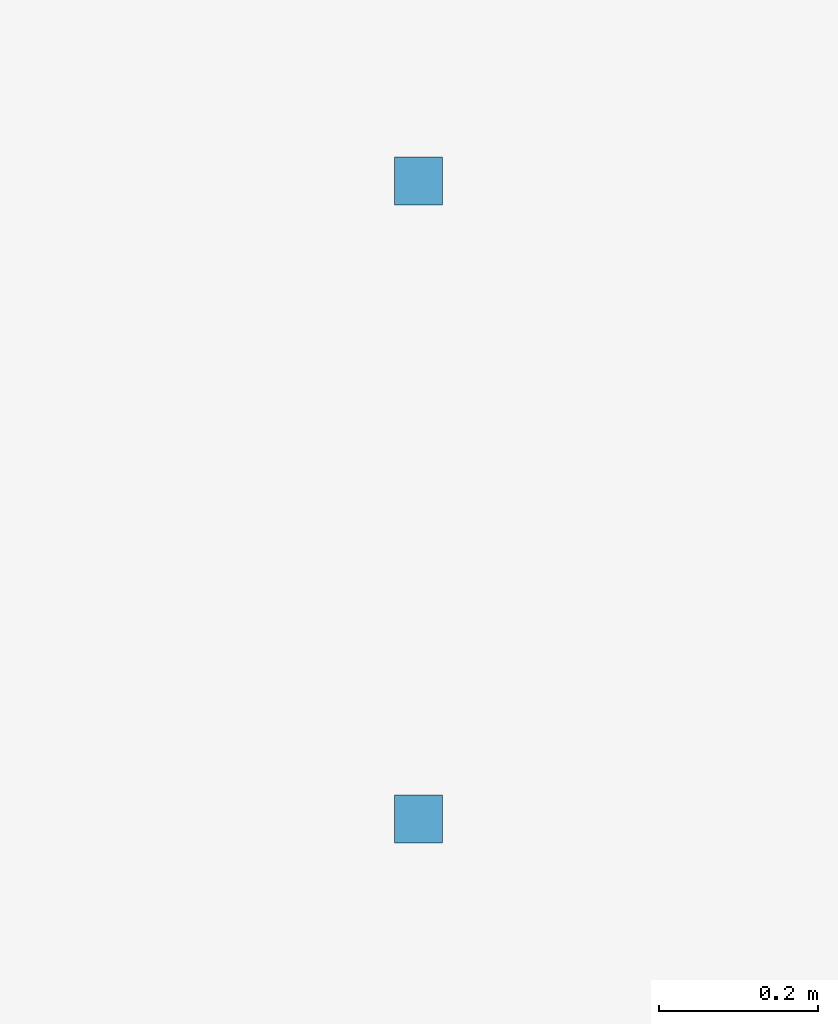
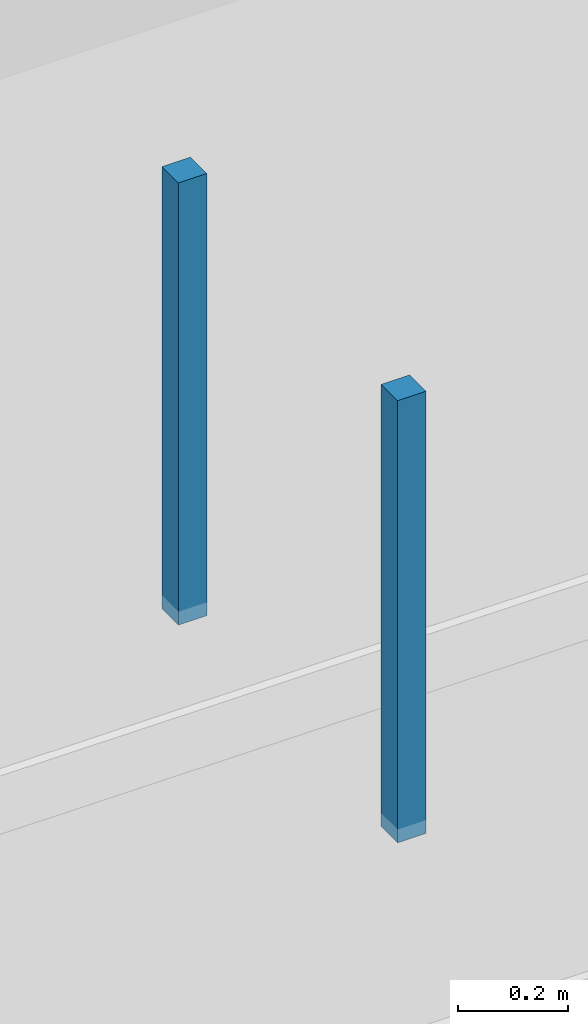
# One storey, part 12 of 25: 2 discrete accessories.
"""IFC4 building model written with IfcOpenShell, lengths in metres."""

from ifc_helpers import new_model, si_unit, direction, frame, origin, origin_2d, place, context, subcontext, project, spatial, rectangle, extrude, material, type_object, element, save


model = new_model("IFC4")

# Units and contexts
model_context = context("Model", 3, precision=1e-05, world=origin(), true_north=direction((0.0, 1.0)))
body_context = subcontext(model_context, "Body", "Model", "MODEL_VIEW")
ifc_project = project(units=[si_unit("LENGTHUNIT", "METRE"), si_unit("AREAUNIT", "SQUARE_METRE"), si_unit("VOLUMEUNIT", "CUBIC_METRE"), si_unit("PLANEANGLEUNIT", "RADIAN"), si_unit("MASSUNIT", "GRAM", prefix="KILO")], contexts=[model_context])

# Site, building, storey
site_placement = place(None, origin())
site = spatial("IfcSite", under=ifc_project, at=site_placement, CompositionType="ELEMENT")
building_placement = place(site_placement, origin())
building = spatial("IfcBuilding", under=site, at=building_placement, Name="Telukmera Botanical Conservatory", CompositionType="ELEMENT")
storey_placement = place(building_placement, frame((0.0, 0.0, 64.5)))
storey = spatial("IfcBuildingStorey", under=building, at=storey_placement, Name="L14", CompositionType="ELEMENT", Elevation=64.5)

# Discrete accessories
ifc_material = material(Name="Steel S355", Category="steel")
discrete_accessory_type = type_object("IfcDiscreteAccessoryType", Name="ACC-CEIL-HGR", PredefinedType="BRACKET", material=ifc_material)
for number, where, z_axis, x_axis, name in (
    (1, (78.655029296875, 31.0, 3.31982421875), (0.0, 0.0, 1.0), (1.0, 0.0, 0.0), "L14 Suspended Ceiling Hanger Rod 011-1"),
    (2, (78.655029296875, 31.800048828125, 3.31982421875), (0.0, 0.0, 1.0), (1.0, 0.0, 0.0), "L14 Suspended Ceiling Hanger Rod 011-2"),
):
    element("IfcDiscreteAccessory", number, at=place(storey_placement, frame(where, z_axis=z_axis, x_axis=x_axis)), inside=storey, type_object=discrete_accessory_type, Name=name, PredefinedType="BRACKET", context=body_context, shape_type="SweptSolid", body=[
        extrude(rectangle(XDim=0.06005859375, YDim=0.06005859375, at=origin_2d()), origin(), (0.0, 0.0, 1.0), 0.985107421875),
    ])

save(model, "model.ifc")
